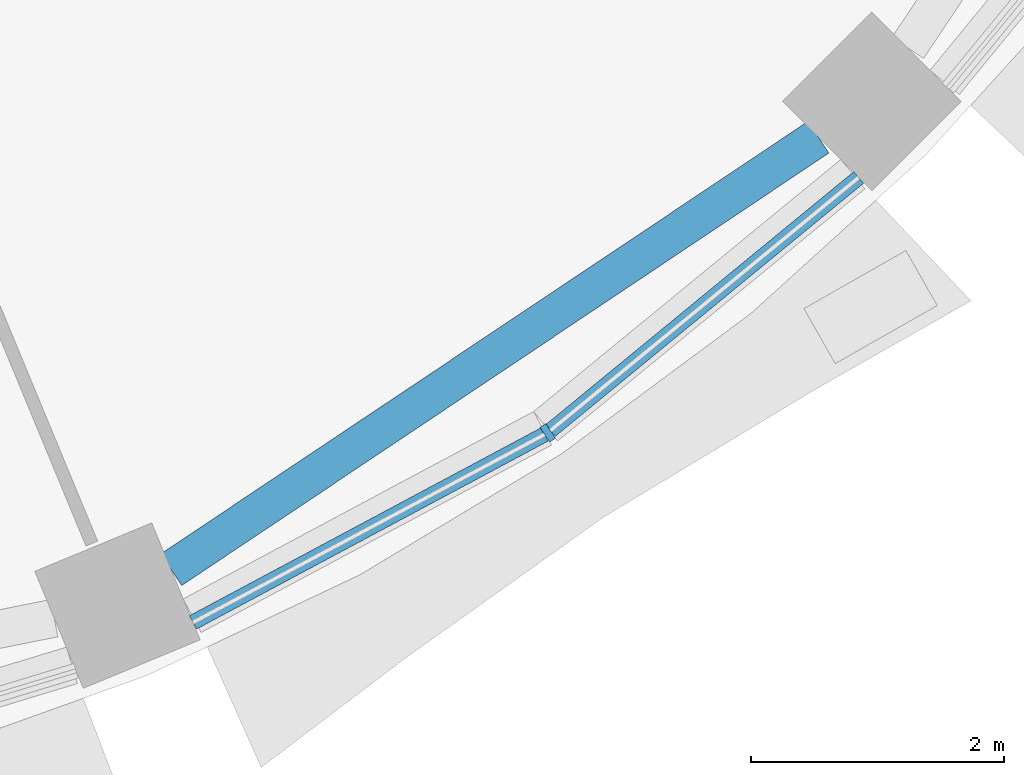
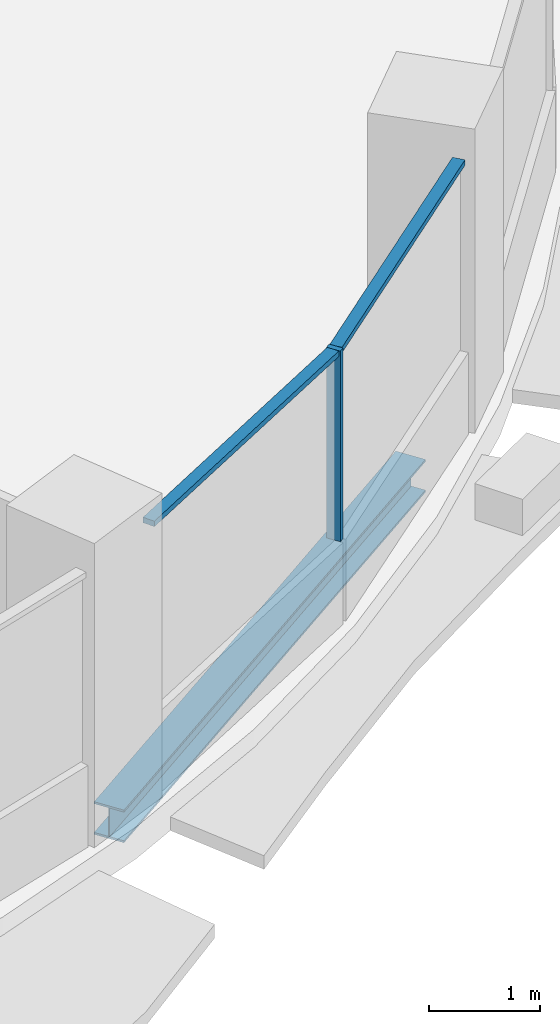
# One storey, part 3 of 15: 3 members, 1 beam, 1 element without a shape of its own.
"""IFC4 building model written with IfcOpenShell, lengths in metres."""

from ifc_helpers import new_model, si_unit, direction, frame, origin, origin_2d, place, context, subcontext, project, spatial, rectangle, i_section, extrude, material, material_profile, profile_set, type_object, element, aggregate, save


model = new_model("IFC4")

# Units and contexts
model_context = context("Model", 3, precision=1e-05, world=origin(), true_north=direction((0.0, 1.0)))
body_context = subcontext(model_context, "Body", "Model", "MODEL_VIEW")
ifc_project = project(units=[si_unit("LENGTHUNIT", "METRE"), si_unit("AREAUNIT", "SQUARE_METRE"), si_unit("VOLUMEUNIT", "CUBIC_METRE"), si_unit("PLANEANGLEUNIT", "RADIAN"), si_unit("MASSUNIT", "GRAM", prefix="KILO")], contexts=[model_context])

# Site, building, storey
site_placement = place(None, origin())
site = spatial("IfcSite", under=ifc_project, at=site_placement, CompositionType="ELEMENT")
building_placement = place(site_placement, origin())
building = spatial("IfcBuilding", under=site, at=building_placement, Name="Polderwave Tower", CompositionType="ELEMENT")
storey_placement = place(building_placement, frame((0.0, 0.0, 134.35009765625)))
storey = spatial("IfcBuildingStorey", under=building, at=storey_placement, Name="L35", CompositionType="ELEMENT", Elevation=134.35009765625)

# Curtain wall, members
ifc_material_1 = material(Name="Aluminium 6063-T6 and glass", Category="aluminium")
curtain_wall_type = type_object("IfcCurtainWallType", Name="Office ribbon glazing wall", PredefinedType="NOTDEFINED", material=ifc_material_1)
curtain_wall_placement = place(storey_placement, origin())
curtain_wall = element("IfcCurtainWall", 1, at=curtain_wall_placement, inside=storey, type_object=curtain_wall_type, Name="CW3 L35 13", PredefinedType="NOTDEFINED")
ifc_material_2 = material(Name="Aluminium 6063-T6", Category="aluminium")
ifc_material_profile_1 = material_profile(ifc_material_2, rectangle(XDim=0.139892578125, YDim=0.054931640625, at=origin_2d()), Name="AL 55x140")
ifc_profile_set_1 = profile_set([ifc_material_profile_1], Name="Aluminium 6063-T6")
member_type_1 = type_object("IfcMemberType", Name="Office ribbon glazing mullion 55x140", PredefinedType="MULLION", material=ifc_profile_set_1)
member_1_placement = place(storey_placement, frame((10.43408203125, -15.614990234375, 0.89990234375), z_axis=(0.0, 0.0, 1.0), x_axis=(-0.555657301267, 0.831411428565, 0.0)))
member_1 = element("IfcMember", 2, at=member_1_placement, type_object=member_type_1, Name="CW3 mullion 1", PredefinedType="MULLION", context=body_context, shape_type="SweptSolid", body=[
    extrude(rectangle(XDim=0.139892578125, YDim=0.054931640625, at=origin_2d()), origin(), (0.0, 0.0, 1.0), 2.10009765625),
])
ifc_material_profile_2 = material_profile(ifc_material_2, rectangle(XDim=0.1201171875, YDim=0.06005859375, at=origin_2d()), Name="AL 60x120")
ifc_profile_set_2 = profile_set([ifc_material_profile_2], Name="Aluminium 6063-T6")
member_type_2 = type_object("IfcMemberType", Name="Office ribbon glazing transom 60x120", PredefinedType="USERDEFINED", material=ifc_profile_set_2)
member_2_placement = place(storey_placement, frame((7.6298828125, -17.114013671875, 2.969970703125), z_axis=(0.88188725203, 0.471460363877, 0.0), x_axis=(-0.471460363877, 0.88188725203, 0.0)))
member_2 = element("IfcMember", 3, at=member_2_placement, type_object=member_type_2, Name="CW3 transom 1", ObjectType="TRANSOM", PredefinedType="USERDEFINED", context=body_context, shape_type="SweptSolid", body=[
    extrude(rectangle(XDim=0.1201171875, YDim=0.06005859375, at=origin_2d()), origin(), (0.0, 0.0, 1.0), 3.152099609375),
])
member_3_placement = place(storey_placement, frame((10.455322265625, -15.59765625, 2.969970703125), z_axis=(0.772893139863, 0.634536204131, 0.0), x_axis=(-0.634536204131, 0.772893139863, 0.0)))
member_3 = element("IfcMember", 4, at=member_3_placement, type_object=member_type_2, Name="CW3 transom 2", ObjectType="TRANSOM", PredefinedType="USERDEFINED", context=body_context, shape_type="SweptSolid", body=[
    extrude(rectangle(XDim=0.1201171875, YDim=0.06005859375, at=origin_2d()), origin(), (0.0, 0.0, 1.0), 3.151611328125),
])
aggregate(curtain_wall, [member_1, member_2, member_3])

# Beam
ifc_material_3 = material(Name="Steel S355", Category="steel")
ifc_material_profile_3 = material_profile(ifc_material_3, i_section(OverallWidth=0.300048828125, OverallDepth=0.360107421875, WebThickness=0.012451171875, FlangeThickness=0.0224609375, at=origin_2d()), Name="HE 360 B")
ifc_profile_set_3 = profile_set([ifc_material_profile_3], Name="Steel S355")
beam_type = type_object("IfcBeamType", Name="RING BEAM HE 360 B", PredefinedType="BEAM", material=ifc_profile_set_3)
beam_placement = place(storey_placement, frame((7.45751953125, -16.69775390625, -0.530029296875), z_axis=(0.831463724506, 0.555579044629, 0.0), x_axis=(-0.555579044629, 0.831463724506, 0.0)))
element("IfcBeam", 5, at=beam_placement, inside=storey, type_object=beam_type, Name="ST-RB-L35-13", PredefinedType="BEAM", context=body_context, shape_type="SweptSolid", body=[
    extrude(i_section(OverallWidth=0.300048828125, OverallDepth=0.360107421875, WebThickness=0.012451171875, FlangeThickness=0.0224609375, at=origin_2d()), origin(), (0.0, 0.0, 1.0), 6.152099609375),
])

save(model, "model.ifc")
